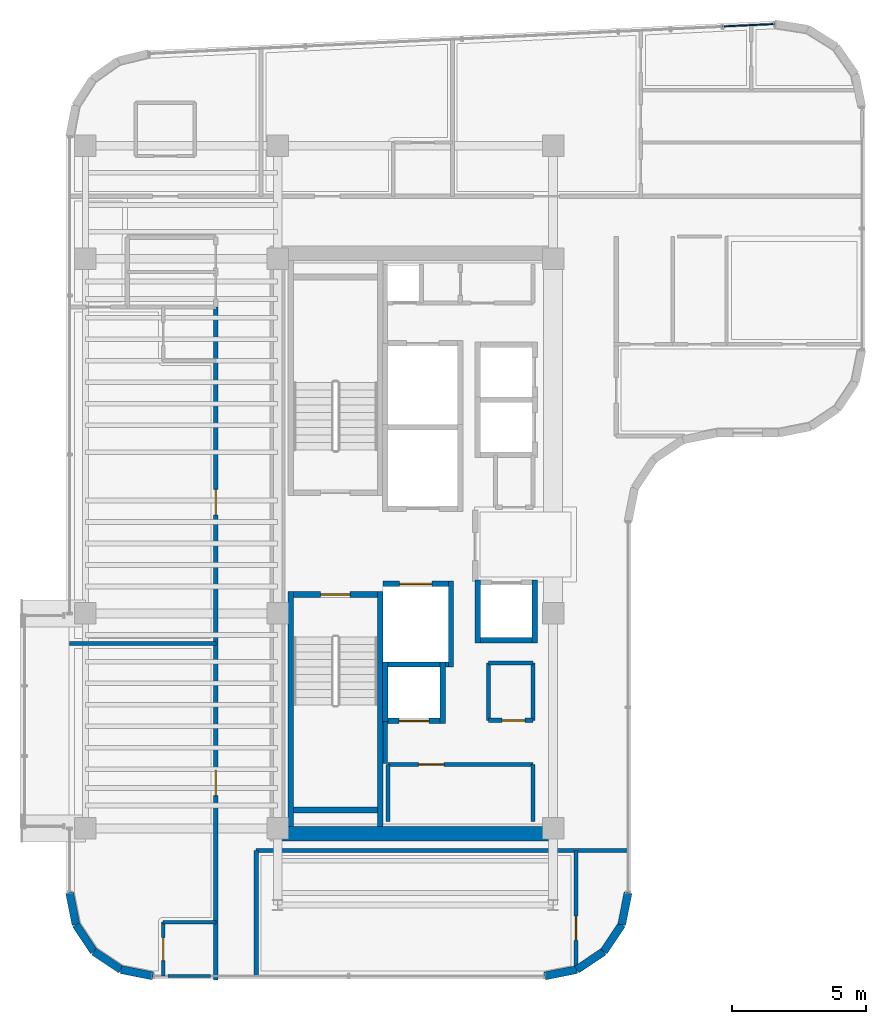
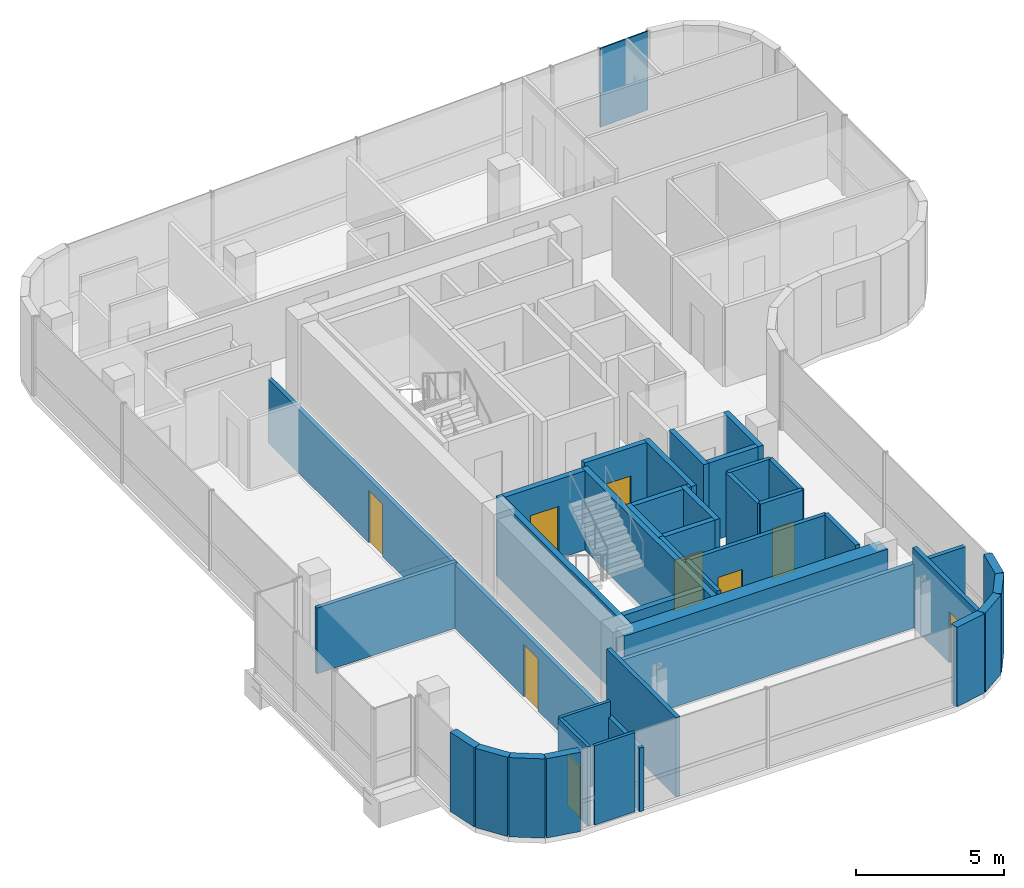
# One storey, part 14 of 19: 38 walls, 9 doors, 1 plate, 9 openings, 1 element without a shape of its own.
"""IFC4 building model written with IfcOpenShell, lengths in metres."""

from ifc_helpers import new_model, si_unit, direction, frame, frame_2d, origin, origin_2d, place, context, subcontext, project, spatial, rectangle, extrude, source, transform, mapped, material, layer, layer_set, type_object, element, fill, aggregate, save


model = new_model("IFC4")

# Units and contexts
model_context = context("Model", 3, precision=1e-05, world=origin(), true_north=direction((0.0, 1.0)))
body_context = subcontext(model_context, "Body", "Model", "MODEL_VIEW")
ifc_project = project(units=[si_unit("LENGTHUNIT", "METRE"), si_unit("AREAUNIT", "SQUARE_METRE"), si_unit("VOLUMEUNIT", "CUBIC_METRE"), si_unit("PLANEANGLEUNIT", "RADIAN"), si_unit("MASSUNIT", "GRAM", prefix="KILO")], contexts=[model_context])

# Site, building, storey
site_placement = place(None, origin())
site = spatial("IfcSite", under=ifc_project, at=site_placement, CompositionType="ELEMENT")
building_placement = place(site_placement, origin())
building = spatial("IfcBuilding", under=site, at=building_placement, Name="Valdorenza Pilgrim Sanctuary Tower", CompositionType="ELEMENT")
storey_placement = place(building_placement, frame((0.0, 0.0, 269.5)))
storey = spatial("IfcBuildingStorey", under=building, at=storey_placement, Name="L70", CompositionType="ELEMENT", Elevation=269.5)

# Curtain wall, plate
ifc_material_1 = material(Name="Curtain-wall IGU glazing", Category="glass")
curtain_wall_type = type_object("IfcCurtainWallType", Name="CW-SYS-02", PredefinedType="NOTDEFINED", material=ifc_material_1)
curtain_wall_placement = place(storey_placement, origin())
curtain_wall = element("IfcCurtainWall", 1, at=curtain_wall_placement, inside=storey, type_object=curtain_wall_type, Name="L70 Curtain Wall CW-L70-1-6", PredefinedType="NOTDEFINED")
ifc_material_2 = material(Name="Ceramic-fritted low-E IGU glazing", Category="glass")
ifc_layer_1 = layer(ifc_material_2, 0.035888671875, Name="Ceramic-fritted low-E IGU glazing")
ifc_layer_set_1 = layer_set([ifc_layer_1], Name="Ceramic-fritted low-E IGU glazing")
plate_type = type_object("IfcPlateType", Name="CW-GLZ-IGU", PredefinedType="USERDEFINED", material=ifc_layer_set_1)
shared_shape = source(origin(), body_context, "Body", "SweptSolid", [
    extrude(rectangle(XDim=1.915283203125, YDim=0.050048828125, at=origin_2d()), origin(), (0.0, 0.0, 1.0), 3.239990234375),
])
plate_placement = place(storey_placement, frame((-5.13330078125, 19.28564453125, 0.009765625), z_axis=(0.0, 0.0, 1.0), x_axis=(0.998890696972, 0.047089016785, 0.0)))
plate = element("IfcPlate", 2, at=plate_placement, type_object=plate_type, Name="CW-L70-1-6 Full-Height Facade Panel 4 Sub 3", ObjectType="GLAZING", PredefinedType="USERDEFINED", context=body_context, shape_type="MappedRepresentation", body=[
    mapped(shared_shape, transform((0.0, 0.0, 0.0), x_axis=(1.0, 0.0, 0.0), y_axis=(0.0, 1.0, 0.0), z_axis=(0.0, 0.0, 1.0), scale=1.0)),
])
aggregate(curtain_wall, [plate])

# Wall
ifc_material_3 = material(Name="Acoustic twin-stud gypsum partition", Category="gypsum")
ifc_layer_2 = layer(ifc_material_3, 0.159912109375, Name="Acoustic twin-stud gypsum partition")
ifc_layer_set_2 = layer_set([ifc_layer_2], Name="Acoustic twin-stud gypsum partition")
wall_type_1 = type_object("IfcWallType", Name="WAL-COR-160", PredefinedType="PARTITIONING", material=ifc_layer_set_2)
wall_1_placement = place(storey_placement, frame((-18.64990234375, -8.179931640625, 0.0), z_axis=(0.0, 0.0, 1.0), x_axis=(0.0, 1.0, 0.0)))
element("IfcWall", 3, at=wall_1_placement, inside=storey, type_object=wall_type_1, Name="L70 Core A South Lift Hall West Wall", PredefinedType="PARTITIONING", context=body_context, shape_type="SweptSolid", body=[
    extrude(rectangle(XDim=1.559814453125, YDim=0.159912109375, at=frame_2d((0.77978515625, 0.0))), origin(), (0.0, 0.0, 1.0), 3.260009765625),
])

# Wall, opening, door
wall_2_placement = place(storey_placement, frame((-18.550048828125, -8.219970703125, 0.0), z_axis=(0.0, 0.0, 1.0), x_axis=(1.0, 0.0, 0.0)))
wall_2 = element("IfcWall", 4, at=wall_2_placement, inside=storey, type_object=wall_type_1, Name="L70 Freed Shaft 1 North Wall", PredefinedType="PARTITIONING", context=body_context, shape_type="SweptSolid", body=[
    extrude(rectangle(XDim=5.400146484375, YDim=0.159912109375, at=frame_2d((2.7001953125, 0.0))), origin(), (0.0, 0.0, 1.0), 3.260009765625),
])
opening_1_placement = place(wall_2_placement, frame((1.14990234375, 0.0, 0.0)))
opening_1 = element("IfcOpeningElement", 5, at=opening_1_placement, cuts=wall_2, Name="Opening DR-UN1", PredefinedType="OPENING", context=body_context, shape_type="SweptSolid", body=[
    extrude(rectangle(XDim=0.949951171875, YDim=2.14990234375, at=frame_2d((0.47509765625, 1.074951171875))), frame((0.0, 0.0947265625, 0.0), z_axis=(0.0, -1.0, 0.0), x_axis=(1.0, 0.0, 0.0)), (0.0, 0.0, 1.0), 0.189697265625),
])
ifc_material_4 = material(Name="Solid-core European oak timber", Category="wood")
door_type_1 = type_object("IfcDoorType", Name="DR-UNIT-950", OperationType="NOTDEFINED", PredefinedType="DOOR", material=ifc_material_4)
door_1_placement = place(opening_1_placement, origin())
door_1 = element("IfcDoor", 6, at=door_1_placement, inside=storey, type_object=door_type_1, Name="L70 Back-of-House Linen Store Door", OperationType="SINGLE_SWING_RIGHT", OverallHeight=2.14990234375, OverallWidth=0.949951171875, PredefinedType="DOOR", context=body_context, shape_type="SweptSolid", body=[
    extrude(rectangle(XDim=0.949951171875, YDim=2.14990234375, at=frame_2d((0.47509765625, 1.074951171875))), frame((0.0, 0.02490234375, 0.0), z_axis=(0.0, -1.0, 0.0), x_axis=(1.0, 0.0, 0.0)), (0.0, 0.0, 1.0), 0.050048828125),
])
fill(opening_1, door_1)

# Wall
wall_3_placement = place(storey_placement, frame((-13.14990234375, -10.35009765625, 0.0), z_axis=(0.0, 0.0, 1.0), x_axis=(0.0, 1.0, 0.0)))
element("IfcWall", 7, at=wall_3_placement, inside=storey, type_object=wall_type_1, Name="L70 Freed Shaft 1 East Wall", PredefinedType="PARTITIONING", context=body_context, shape_type="SweptSolid", body=[
    extrude(rectangle(XDim=2.130126953125, YDim=0.159912109375, at=frame_2d((1.06494140625, 0.0))), origin(), (0.0, 0.0, 1.0), 3.260009765625),
])

# Wall, opening, door
wall_4_placement = place(storey_placement, frame((-14.800048828125, -6.580078125, 0.0), z_axis=(0.0, 0.0, 1.0), x_axis=(1.0, 0.0, 0.0)))
wall_4 = element("IfcWall", 8, at=wall_4_placement, inside=storey, type_object=wall_type_1, Name="L70 Freed Shaft 2 South Wall", PredefinedType="PARTITIONING", context=body_context, shape_type="SweptSolid", body=[
    extrude(rectangle(XDim=1.650146484375, YDim=0.159912109375, at=frame_2d((0.8251953125, 0.0))), origin(), (0.0, 0.0, 1.0), 3.260009765625),
])
opening_2_placement = place(wall_4_placement, frame((0.5, 0.0, 0.0)))
opening_2 = element("IfcOpeningElement", 9, at=opening_2_placement, cuts=wall_4, Name="Opening DR-RS1", PredefinedType="OPENING", context=body_context, shape_type="SweptSolid", body=[
    extrude(rectangle(XDim=0.85009765625, YDim=2.050048828125, at=frame_2d((0.425048828125, 1.02490234375))), frame((0.0, 0.0947265625, 0.0), z_axis=(0.0, -1.0, 0.0), x_axis=(1.0, 0.0, 0.0)), (0.0, 0.0, 1.0), 0.189697265625),
])
ifc_material_5 = material(Name="Painted galvanized steel", Category="steel")
door_type_2 = type_object("IfcDoorType", Name="DR-RSR-850", OperationType="NOTDEFINED", PredefinedType="DOOR", material=ifc_material_5)
door_2_placement = place(opening_2_placement, origin())
door_2 = element("IfcDoor", 10, at=door_2_placement, inside=storey, type_object=door_type_2, Name="L70 Guest Tea Pantry Door", OperationType="SINGLE_SWING_LEFT", OverallHeight=2.050048828125, OverallWidth=0.85009765625, PredefinedType="DOOR", context=body_context, shape_type="SweptSolid", body=[
    extrude(rectangle(XDim=0.85009765625, YDim=2.050048828125, at=frame_2d((0.425048828125, 1.02490234375))), frame((0.0, 0.02490234375, 0.0), z_axis=(0.0, -1.0, 0.0), x_axis=(1.0, 0.0, 0.0)), (0.0, 0.0, 1.0), 0.050048828125),
])
fill(opening_2, door_2)

# Walls
wall_5_placement = place(storey_placement, frame((-13.14990234375, -6.580078125, 0.0), z_axis=(0.0, 0.0, 1.0), x_axis=(0.0, 1.0, 0.0)))
element("IfcWall", 11, at=wall_5_placement, inside=storey, type_object=wall_type_1, Name="L70 Freed Shaft 2 East Wall", PredefinedType="PARTITIONING", context=body_context, shape_type="SweptSolid", body=[
    extrude(rectangle(XDim=2.130126953125, YDim=0.159912109375, at=frame_2d((1.06494140625, 0.0))), origin(), (0.0, 0.0, 1.0), 3.260009765625),
])
wall_6_placement = place(storey_placement, frame((-23.449951171875, -11.419921875, 0.0), z_axis=(0.0, 0.0, 1.0), x_axis=(1.0, 0.0, 0.0)))
element("IfcWall", 12, at=wall_6_placement, inside=storey, type_object=wall_type_1, Name="L70 South-East Pocket North Wall", PredefinedType="PARTITIONING", context=body_context, shape_type="SweptSolid", body=[
    extrude(rectangle(XDim=13.83984375, YDim=0.159912109375, at=frame_2d((6.919921875, 0.0))), origin(), (0.0, 0.0, 1.0), 2.634033203125),
])
wall_7_placement = place(storey_placement, frame((-23.449951171875, -16.090087890625, 0.0), z_axis=(0.0, 0.0, 1.0), x_axis=(0.0, 1.0, 0.0)))
element("IfcWall", 13, at=wall_7_placement, inside=storey, type_object=wall_type_1, Name="L70 South-East Pocket West Wall", PredefinedType="PARTITIONING", context=body_context, shape_type="SweptSolid", body=[
    extrude(rectangle(XDim=4.670166015625, YDim=0.159912109375, at=frame_2d((2.3349609375, 0.0))), origin(), (0.0, 0.0, 1.0), 3.260009765625),
])

# Wall, openings, doors
wall_8_placement = place(storey_placement, frame((-24.949951171875, -16.239990234375, 0.0), z_axis=(0.0, 0.0, 1.0), x_axis=(0.0, 1.0, 0.0)))
wall_8 = element("IfcWall", 14, at=wall_8_placement, inside=storey, type_object=wall_type_1, Name="L70 West Wing Corridor Wall", PredefinedType="PARTITIONING", context=body_context, shape_type="SweptSolid", body=[
    extrude(rectangle(XDim=25.0400390625, YDim=0.159912109375, at=frame_2d((12.52001953125, 0.0))), origin(), (0.0, 0.0, 1.0), 2.623046875),
])
opening_3_placement = place(wall_8_placement, frame((6.860107421875, 0.0, 0.0)))
opening_3 = element("IfcOpeningElement", 15, at=opening_3_placement, cuts=wall_8, Name="Opening DR-UN1", PredefinedType="OPENING", context=body_context, shape_type="SweptSolid", body=[
    extrude(rectangle(XDim=0.949951171875, YDim=2.14990234375, at=frame_2d((0.47509765625, 1.074951171875))), frame((0.0, 0.0947265625, 0.0), z_axis=(0.0, -1.0, 0.0), x_axis=(1.0, 0.0, 0.0)), (0.0, 0.0, 1.0), 0.189697265625),
])
opening_4_placement = place(wall_8_placement, frame((17.304931640625, 0.0, 0.0)))
opening_4 = element("IfcOpeningElement", 16, at=opening_4_placement, cuts=wall_8, Name="Opening DR-UN1", PredefinedType="OPENING", context=body_context, shape_type="SweptSolid", body=[
    extrude(rectangle(XDim=0.949951171875, YDim=2.14990234375, at=frame_2d((0.47509765625, 1.074951171875))), frame((0.0, 0.0947265625, 0.0), z_axis=(0.0, -1.0, 0.0), x_axis=(1.0, 0.0, 0.0)), (0.0, 0.0, 1.0), 0.189697265625),
])
door_3_placement = place(opening_3_placement, origin())
door_3 = element("IfcDoor", 17, at=door_3_placement, inside=storey, type_object=door_type_1, Name="L70 Pilgrim Family Guest Room L70-W1 Entrance Door", OperationType="SINGLE_SWING_RIGHT", OverallHeight=2.14990234375, OverallWidth=0.949951171875, PredefinedType="DOOR", context=body_context, shape_type="SweptSolid", body=[
    extrude(rectangle(XDim=0.949951171875, YDim=2.14990234375, at=frame_2d((0.47509765625, 1.074951171875))), frame((0.0, 0.02490234375, 0.0), z_axis=(0.0, -1.0, 0.0), x_axis=(1.0, 0.0, 0.0)), (0.0, 0.0, 1.0), 0.050048828125),
])
fill(opening_3, door_3)
door_4_placement = place(opening_4_placement, origin())
door_4 = element("IfcDoor", 18, at=door_4_placement, inside=storey, type_object=door_type_1, Name="L70 Pilgrim Family Guest Room L70-W2 Entrance Door", OperationType="SINGLE_SWING_RIGHT", OverallHeight=2.14990234375, OverallWidth=0.949951171875, PredefinedType="DOOR", context=body_context, shape_type="SweptSolid", body=[
    extrude(rectangle(XDim=0.949951171875, YDim=2.14990234375, at=frame_2d((0.47509765625, 1.074951171875))), frame((0.0, 0.02490234375, 0.0), z_axis=(0.0, -1.0, 0.0), x_axis=(1.0, 0.0, 0.0)), (0.0, 0.0, 1.0), 0.050048828125),
])
fill(opening_4, door_4)

# Wall, opening, door
wall_9_placement = place(storey_placement, frame((-11.550048828125, -15.7236328125, 0.0), z_axis=(0.0, 0.0, 1.0), x_axis=(0.0, 1.0, 0.0)))
wall_9 = element("IfcWall", 19, at=wall_9_placement, inside=storey, type_object=wall_type_1, Name="L70 South-East Concourse Wall", PredefinedType="PARTITIONING", context=body_context, shape_type="SweptSolid", body=[
    extrude(rectangle(XDim=4.3037109375, YDim=0.159912109375, at=frame_2d((2.15185546875, 0.0))), origin(), (0.0, 0.0, 1.0), 3.260009765625),
])
opening_5_placement = place(wall_9_placement, frame((0.9599609375, 0.0, 0.0)))
opening_5 = element("IfcOpeningElement", 20, at=opening_5_placement, cuts=wall_9, Name="Opening DR-RM1", PredefinedType="OPENING", context=body_context, shape_type="SweptSolid", body=[
    extrude(rectangle(XDim=0.89990234375, YDim=2.10009765625, at=frame_2d((0.449951171875, 1.050048828125))), frame((0.0, 0.0947265625, 0.0), z_axis=(0.0, -1.0, 0.0), x_axis=(1.0, 0.0, 0.0)), (0.0, 0.0, 1.0), 0.189697265625),
])
door_type_3 = type_object("IfcDoorType", Name="DR-ROOM-900", OperationType="NOTDEFINED", PredefinedType="DOOR", material=ifc_material_4)
door_5_placement = place(opening_5_placement, origin())
door_5 = element("IfcDoor", 21, at=door_5_placement, inside=storey, type_object=door_type_3, Name="L70 South Contemplation Lounge L70 Door", OperationType="SINGLE_SWING_RIGHT", OverallHeight=2.10009765625, OverallWidth=0.89990234375, PredefinedType="DOOR", context=body_context, shape_type="SweptSolid", body=[
    extrude(rectangle(XDim=0.89990234375, YDim=2.10009765625, at=frame_2d((0.449951171875, 1.050048828125))), frame((0.0, 0.02490234375, 0.0), z_axis=(0.0, -1.0, 0.0), x_axis=(1.0, 0.0, 0.0)), (0.0, 0.0, 1.0), 0.050048828125),
])
fill(opening_5, door_5)

# Walls
ifc_material_6 = material(Name="Concrete C50/60", Category="concrete")
ifc_layer_3 = layer(ifc_material_6, 0.550048828125, Name="Concrete C50/60")
ifc_layer_set_3 = layer_set([ifc_layer_3], Name="Concrete C50/60")
wall_type_2 = type_object("IfcWallType", Name="WAL-COR-550", PredefinedType="SHEAR", material=ifc_layer_set_3)
wall_10_placement = place(storey_placement, frame((-22.64990234375, -10.800048828125, 0.0), z_axis=(0.0, 0.0, 1.0), x_axis=(1.0, 0.0, 0.0)))
element("IfcWall", 22, at=wall_10_placement, inside=storey, type_object=wall_type_2, Name="L70 Split Core A Shear Wall S", PredefinedType="SHEAR", context=body_context, shape_type="SweptSolid", body=[
    extrude(rectangle(XDim=10.25, YDim=0.550048828125, at=frame_2d((5.125, 0.0))), origin(), (0.0, 0.0, 1.0), 3.260009765625),
])
ifc_material_7 = material(Name="Honed travertine limestone", Category="masonry")
ifc_layer_4 = layer(ifc_material_7, 0.300048828125, Name="Honed travertine limestone")
ifc_layer_set_4 = layer_set([ifc_layer_4], Name="Honed travertine limestone")
wall_type_3 = type_object("IfcWallType", Name="WAL-EXT-300", PredefinedType="SOLIDWALL", material=ifc_layer_set_4)
wall_11_placement = place(storey_placement, frame((-9.610107421875, -12.9892578125, 0.0), z_axis=(0.0, 0.0, 1.0), x_axis=(-0.194996050505, -0.980804027463, 0.0)))
element("IfcWall", 23, at=wall_11_placement, inside=storey, type_object=wall_type_3, Name="L70 Rounded Wind-Corner Stone Pier 22", PredefinedType="SOLIDWALL", context=body_context, shape_type="SweptSolid", body=[
    extrude(rectangle(XDim=1.2158203125, YDim=0.300048828125, at=frame_2d((0.60791015625, 0.0))), origin(), (0.0, 0.0, 1.0), 3.260009765625),
])
for number, where, z_axis, x_axis, name in (
    (24, (-9.84716796875, -14.181640625, 0.0), (0.0, 0.0, 1.0), (-0.555635100982, -0.831426265255, 0.0), "L70 Rounded Wind-Corner Stone Pier 23"),
    (25, (-10.5166015625, -15.183349609375, 0.0), (0.0, 0.0, 1.0), (-0.831426265255, -0.555635100982, 0.0), "L70 Rounded Wind-Corner Stone Pier 24"),
):
    element("IfcWall", number, at=place(storey_placement, frame(where, z_axis=z_axis, x_axis=x_axis)), inside=storey, type_object=wall_type_3, Name=name, PredefinedType="SOLIDWALL", context=body_context, shape_type="SweptSolid", body=[
        extrude(rectangle(XDim=1.204833984375, YDim=0.300048828125, at=frame_2d((0.6025390625, 0.0))), origin(), (0.0, 0.0, 1.0), 3.260009765625),
    ])
for number, where, z_axis, x_axis, name in (
    (26, (-11.518310546875, -15.852783203125, 0.0), (0.0, 0.0, 1.0), (-0.980765602568, -0.195189223115, 0.0), "L70 Rounded Wind-Corner Stone Pier 25"),
    (27, (-27.289306640625, -16.090087890625, 0.0), (0.0, 0.0, 1.0), (-0.980765602568, 0.195189223115, 0.0), "L70 Rounded Wind-Corner Stone Pier 27"),
):
    element("IfcWall", number, at=place(storey_placement, frame(where, z_axis=z_axis, x_axis=x_axis)), inside=storey, type_object=wall_type_3, Name=name, PredefinedType="SOLIDWALL", context=body_context, shape_type="SweptSolid", body=[
        extrude(rectangle(XDim=1.2158203125, YDim=0.300048828125, at=frame_2d((0.60791015625, 0.0))), origin(), (0.0, 0.0, 1.0), 3.260009765625),
    ])
for number, where, z_axis, x_axis, name in (
    (28, (-28.481689453125, -15.852783203125, 0.0), (0.0, 0.0, 1.0), (-0.831426265255, 0.555635100982, 0.0), "L70 Rounded Wind-Corner Stone Pier 28"),
    (29, (-29.4833984375, -15.183349609375, 0.0), (0.0, 0.0, 1.0), (-0.555635100982, 0.831426265255, 0.0), "L70 Rounded Wind-Corner Stone Pier 29"),
):
    element("IfcWall", number, at=place(storey_placement, frame(where, z_axis=z_axis, x_axis=x_axis)), inside=storey, type_object=wall_type_3, Name=name, PredefinedType="SOLIDWALL", context=body_context, shape_type="SweptSolid", body=[
        extrude(rectangle(XDim=1.204833984375, YDim=0.300048828125, at=frame_2d((0.6025390625, 0.0))), origin(), (0.0, 0.0, 1.0), 3.260009765625),
    ])
wall_12_placement = place(storey_placement, frame((-30.15283203125, -14.181640625, 0.0), z_axis=(0.0, 0.0, 1.0), x_axis=(-0.194996050505, 0.980804027463, 0.0)))
element("IfcWall", 30, at=wall_12_placement, inside=storey, type_object=wall_type_3, Name="L70 Rounded Wind-Corner Stone Pier 30", PredefinedType="SOLIDWALL", context=body_context, shape_type="SweptSolid", body=[
    extrude(rectangle(XDim=1.2158203125, YDim=0.300048828125, at=frame_2d((0.60791015625, 0.0))), origin(), (0.0, 0.0, 1.0), 3.260009765625),
])
ifc_material_8 = material(Name="Moisture-resistant gypsum partition", Category="gypsum")
ifc_layer_5 = layer(ifc_material_8, 0.1201171875, Name="Moisture-resistant gypsum partition")
ifc_layer_set_5 = layer_set([ifc_layer_5], Name="Moisture-resistant gypsum partition")
wall_type_4 = type_object("IfcWallType", Name="WAL-INT-120", PredefinedType="PARTITIONING", material=ifc_layer_set_5)
wall_13_placement = place(storey_placement, frame((-26.907958984375, -14.090087890625, 0.0), z_axis=(0.0, 0.0, 1.0), x_axis=(1.0, 0.0, 0.0)))
element("IfcWall", 31, at=wall_13_placement, inside=storey, type_object=wall_type_4, Name="L70 Pilgrim Family Guest Room L70-W1 En-suite North Wall", PredefinedType="PARTITIONING", context=body_context, shape_type="SweptSolid", body=[
    extrude(rectangle(XDim=1.9580078125, YDim=0.1201171875, at=frame_2d((0.97900390625, 0.0))), origin(), (0.0, 0.0, 1.0), 3.260009765625),
])

# Wall, opening, door
wall_14_placement = place(storey_placement, frame((-26.907958984375, -16.090087890625, 0.0), z_axis=(0.0, 0.0, 1.0), x_axis=(0.0, 1.0, 0.0)))
wall_14 = element("IfcWall", 32, at=wall_14_placement, inside=storey, type_object=wall_type_4, Name="L70 Pilgrim Family Guest Room L70-W1 En-suite Door Wall", PredefinedType="PARTITIONING", context=body_context, shape_type="SweptSolid", body=[
    extrude(rectangle(XDim=2.0, YDim=0.1201171875, at=frame_2d((1.0, 0.0))), origin(), (0.0, 0.0, 1.0), 3.260009765625),
])
opening_6_placement = place(wall_14_placement, frame((0.574951171875, 0.0, 0.0)))
opening_6 = element("IfcOpeningElement", 33, at=opening_6_placement, cuts=wall_14, Name="Opening DR-WC1", PredefinedType="OPENING", context=body_context, shape_type="SweptSolid", body=[
    extrude(rectangle(XDim=0.85009765625, YDim=2.10009765625, at=frame_2d((0.425048828125, 1.050048828125))), frame((0.0, 0.074951171875, 0.0), z_axis=(0.0, -1.0, 0.0), x_axis=(1.0, 0.0, 0.0)), (0.0, 0.0, 1.0), 0.14990234375),
])
ifc_material_9 = material(Name="Moisture-resistant lacquered timber", Category="wood")
door_type_4 = type_object("IfcDoorType", Name="DR-BATH-850", OperationType="NOTDEFINED", PredefinedType="DOOR", material=ifc_material_9)
door_6_placement = place(opening_6_placement, origin())
door_6 = element("IfcDoor", 34, at=door_6_placement, inside=storey, type_object=door_type_4, Name="L70 Pilgrim Family Guest Room L70-W1 En-suite Bathroom Door", OperationType="SINGLE_SWING_LEFT", OverallHeight=2.10009765625, OverallWidth=0.85009765625, PredefinedType="DOOR", context=body_context, shape_type="SweptSolid", body=[
    extrude(rectangle(XDim=0.85009765625, YDim=2.10009765625, at=frame_2d((0.425048828125, 1.050048828125))), frame((0.0, 0.02490234375, 0.0), z_axis=(0.0, -1.0, 0.0), x_axis=(1.0, 0.0, 0.0)), (0.0, 0.0, 1.0), 0.050048828125),
])
fill(opening_6, door_6)

# Walls
wall_15_placement = place(storey_placement, frame((-26.72802734375, -16.090087890625, 0.0), z_axis=(0.0, 0.0, 1.0), x_axis=(1.0, 0.0, 0.0)))
element("IfcWall", 35, at=wall_15_placement, inside=storey, type_object=wall_type_4, Name="L70 WW-FL1-ENS Enclosure Wall S", PredefinedType="PARTITIONING", context=body_context, shape_type="SweptSolid", body=[
    extrude(rectangle(XDim=1.578125, YDim=0.1201171875, at=frame_2d((0.7890625, 0.0))), origin(), (0.0, 0.0, 1.0), 3.260009765625),
])
ifc_material_10 = material(Name="Autoclaved aerated concrete blockwork", Category="masonry")
ifc_layer_6 = layer(ifc_material_10, 0.199951171875, Name="Autoclaved aerated concrete blockwork")
ifc_layer_set_6 = layer_set([ifc_layer_6], Name="Autoclaved aerated concrete blockwork")
wall_type_5 = type_object("IfcWallType", Name="WAL-SHF-200", PredefinedType="MOVABLE", material=ifc_layer_set_6)
wall_16_placement = place(storey_placement, frame((-16.199951171875, -4.60009765625, 0.0), z_axis=(0.0, 0.0, 1.0), x_axis=(0.0, 1.0, 0.0)))
element("IfcWall", 36, at=wall_16_placement, inside=storey, type_object=wall_type_5, Name="L70 Lift FFL-02 Hoistway Wall East", PredefinedType="MOVABLE", context=body_context, shape_type="SweptSolid", body=[
    extrude(rectangle(XDim=3.2001953125, YDim=0.199951171875, at=frame_2d((1.60009765625, 0.0))), origin(), (0.0, 0.0, 1.0), 3.260009765625),
])
wall_17_placement = place(storey_placement, frame((-18.719970703125, -4.5, 0.0), z_axis=(0.0, 0.0, 1.0), x_axis=(1.0, 0.0, 0.0)))
element("IfcWall", 37, at=wall_17_placement, inside=storey, type_object=wall_type_5, Name="L70 Lift FFL-02 Hoistway Wall South", PredefinedType="MOVABLE", context=body_context, shape_type="SweptSolid", body=[
    extrude(rectangle(XDim=2.419921875, YDim=0.199951171875, at=frame_2d((1.2099609375, 0.0))), origin(), (0.0, 0.0, 1.0), 3.260009765625),
])

# Wall, opening, door
wall_18_placement = place(storey_placement, frame((-18.719970703125, -1.5, 0.0), z_axis=(0.0, 0.0, 1.0), x_axis=(1.0, 0.0, 0.0)))
wall_18 = element("IfcWall", 38, at=wall_18_placement, inside=storey, type_object=wall_type_5, Name="L70 Lift FFL-02 Hoistway Wall North", PredefinedType="MOVABLE", context=body_context, shape_type="SweptSolid", body=[
    extrude(rectangle(XDim=2.419921875, YDim=0.199951171875, at=frame_2d((1.2099609375, 0.0))), origin(), (0.0, 0.0, 1.0), 3.260009765625),
])
opening_7_placement = place(wall_18_placement, frame((0.610107421875, 0.0, 0.0)))
opening_7 = element("IfcOpeningElement", 39, at=opening_7_placement, cuts=wall_18, Name="Opening LD-02", PredefinedType="OPENING", context=body_context, shape_type="SweptSolid", body=[
    extrude(rectangle(XDim=1.199951171875, YDim=2.10009765625, at=frame_2d((0.60009765625, 1.050048828125))), frame((0.0, 0.11474609375, 0.0), z_axis=(0.0, -1.0, 0.0), x_axis=(1.0, 0.0, 0.0)), (0.0, 0.0, 1.0), 0.229736328125),
])
ifc_material_11 = material(Name="Brushed stainless steel Grade 316", Category="steel")
door_type_5 = type_object("IfcDoorType", Name="DR-LFT-1200", OperationType="DOUBLE_DOOR_SLIDING", PredefinedType="DOOR", material=ifc_material_11)
door_7_placement = place(opening_7_placement, origin())
door_7 = element("IfcDoor", 40, at=door_7_placement, inside=storey, type_object=door_type_5, Name="L70 Lift FFL-02 Sliding Landing Door", OperationType="DOUBLE_DOOR_SLIDING", OverallHeight=2.10009765625, OverallWidth=1.199951171875, PredefinedType="DOOR", context=body_context, shape_type="SweptSolid", body=[
    extrude(rectangle(XDim=1.199951171875, YDim=2.10009765625, at=frame_2d((0.60009765625, 1.050048828125))), frame((0.0, 0.02490234375, 0.0), z_axis=(0.0, -1.0, 0.0), x_axis=(1.0, 0.0, 0.0)), (0.0, 0.0, 1.0), 0.050048828125),
])
fill(opening_7, door_7)

# Walls
for number, where, z_axis, x_axis, name in (
    (41, (-18.64990234375, -6.699951171875, 0.0), (0.0, 0.0, 1.0), (0.0, 1.0, 0.0), "L70 Lift PL-11 Hoistway Wall West"),
    (42, (-16.5, -6.699951171875, 0.0), (0.0, 0.0, 1.0), (0.0, 1.0, 0.0), "L70 Lift PL-11 Hoistway Wall East"),
):
    element("IfcWall", number, at=place(storey_placement, frame(where, z_axis=z_axis, x_axis=x_axis)), inside=storey, type_object=wall_type_5, Name=name, PredefinedType="MOVABLE", context=body_context, shape_type="SweptSolid", body=[
        extrude(rectangle(XDim=2.300048828125, YDim=0.199951171875, at=frame_2d((1.14990234375, 0.0))), origin(), (0.0, 0.0, 1.0), 3.260009765625),
    ])

# Wall, opening, door
wall_19_placement = place(storey_placement, frame((-18.550048828125, -6.60009765625, 0.0), z_axis=(0.0, 0.0, 1.0), x_axis=(1.0, 0.0, 0.0)))
wall_19 = element("IfcWall", 43, at=wall_19_placement, inside=storey, type_object=wall_type_5, Name="L70 Lift PL-11 Hoistway Wall South", PredefinedType="MOVABLE", context=body_context, shape_type="SweptSolid", body=[
    extrude(rectangle(XDim=1.949951171875, YDim=0.199951171875, at=frame_2d((0.97509765625, 0.0))), origin(), (0.0, 0.0, 1.0), 3.260009765625),
])
opening_8_placement = place(wall_19_placement, frame((0.425048828125, 0.0, 0.0)))
opening_8 = element("IfcOpeningElement", 44, at=opening_8_placement, cuts=wall_19, Name="Opening LD-01", PredefinedType="OPENING", context=body_context, shape_type="SweptSolid", body=[
    extrude(rectangle(XDim=1.10009765625, YDim=2.10009765625, at=frame_2d((0.550048828125, 1.050048828125))), frame((0.0, 0.11474609375, 0.0), z_axis=(0.0, -1.0, 0.0), x_axis=(1.0, 0.0, 0.0)), (0.0, 0.0, 1.0), 0.229736328125),
])
door_type_6 = type_object("IfcDoorType", Name="DR-LFT-1100", OperationType="DOUBLE_DOOR_SLIDING", PredefinedType="DOOR", material=ifc_material_11)
door_8_placement = place(opening_8_placement, origin())
door_8 = element("IfcDoor", 45, at=door_8_placement, inside=storey, type_object=door_type_6, Name="L70 Lift PL-11 Sliding Landing Door", OperationType="DOUBLE_DOOR_SLIDING", OverallHeight=2.10009765625, OverallWidth=1.10009765625, PredefinedType="DOOR", context=body_context, shape_type="SweptSolid", body=[
    extrude(rectangle(XDim=1.10009765625, YDim=2.10009765625, at=frame_2d((0.550048828125, 1.050048828125))), frame((0.0, 0.02490234375, 0.0), z_axis=(0.0, -1.0, 0.0), x_axis=(1.0, 0.0, 0.0)), (0.0, 0.0, 1.0), 0.050048828125),
])
fill(opening_8, door_8)

# Walls
for number, where, z_axis, x_axis, name in (
    (46, (-15.199951171875, -3.699951171875, 0.0), (0.0, 0.0, 1.0), (0.0, 1.0, 0.0), "L70 Lift PL-12 Hoistway Wall West"),
    (47, (-13.080078125, -3.699951171875, 0.0), (0.0, 0.0, 1.0), (0.0, 1.0, 0.0), "L70 Lift PL-12 Hoistway Wall East"),
):
    element("IfcWall", number, at=place(storey_placement, frame(where, z_axis=z_axis, x_axis=x_axis)), inside=storey, type_object=wall_type_5, Name=name, PredefinedType="MOVABLE", context=body_context, shape_type="SweptSolid", body=[
        extrude(rectangle(XDim=2.349853515625, YDim=0.199951171875, at=frame_2d((1.1748046875, 0.0))), origin(), (0.0, 0.0, 1.0), 3.260009765625),
    ])
wall_20_placement = place(storey_placement, frame((-15.10009765625, -3.60009765625, 0.0), z_axis=(0.0, 0.0, 1.0), x_axis=(1.0, 0.0, 0.0)))
element("IfcWall", 48, at=wall_20_placement, inside=storey, type_object=wall_type_5, Name="L70 Lift PL-12 Hoistway Wall South", PredefinedType="MOVABLE", context=body_context, shape_type="SweptSolid", body=[
    extrude(rectangle(XDim=1.920166015625, YDim=0.199951171875, at=frame_2d((0.9599609375, 0.0))), origin(), (0.0, 0.0, 1.0), 3.260009765625),
])
ifc_material_12 = material(Name="Concrete C40/50", Category="concrete")
ifc_layer_7 = layer(ifc_material_12, 0.219970703125, Name="Concrete C40/50")
ifc_layer_set_7 = layer_set([ifc_layer_7], Name="Concrete C40/50")
wall_type_6 = type_object("IfcWallType", Name="WAL-STR-SHF-220", PredefinedType="SHEAR", material=ifc_layer_set_7)
for number, where, z_axis, x_axis, name in (
    (49, (-22.159912109375, -10.52490234375, 0.0), (0.0, 0.0, 1.0), (0.0, 1.0, 0.0), "L70 ST-A2 Structural Stairwell Wall W"),
    (50, (-18.830078125, -10.52490234375, 0.0), (0.0, 0.0, 1.0), (0.0, 1.0, 0.0), "L70 ST-A2 Structural Stairwell Wall E"),
):
    element("IfcWall", number, at=place(storey_placement, frame(where, z_axis=z_axis, x_axis=x_axis)), inside=storey, type_object=wall_type_6, Name=name, PredefinedType="SHEAR", context=body_context, shape_type="SweptSolid", body=[
        extrude(rectangle(XDim=8.744873046875, YDim=0.219970703125, at=frame_2d((4.37255859375, 0.0))), origin(), (0.0, 0.0, 1.0), 3.260009765625),
    ])
wall_21_placement = place(storey_placement, frame((-22.050048828125, -9.909912109375, 0.0), z_axis=(0.0, 0.0, 1.0), x_axis=(1.0, 0.0, 0.0)))
element("IfcWall", 51, at=wall_21_placement, inside=storey, type_object=wall_type_6, Name="L70 ST-A2 Structural Stairwell Wall S", PredefinedType="SHEAR", context=body_context, shape_type="SweptSolid", body=[
    extrude(rectangle(XDim=3.110107421875, YDim=0.219970703125, at=frame_2d((1.55517578125, 0.0))), origin(), (0.0, 0.0, 1.0), 3.260009765625),
])

# Wall, opening, door
wall_22_placement = place(storey_placement, frame((-22.050048828125, -1.889892578125, 0.0), z_axis=(0.0, 0.0, 1.0), x_axis=(1.0, 0.0, 0.0)))
wall_22 = element("IfcWall", 52, at=wall_22_placement, inside=storey, type_object=wall_type_6, Name="L70 ST-A2 Structural Stairwell Wall N", PredefinedType="SHEAR", context=body_context, shape_type="SweptSolid", body=[
    extrude(rectangle(XDim=3.110107421875, YDim=0.219970703125, at=frame_2d((1.55517578125, 0.0))), origin(), (0.0, 0.0, 1.0), 3.260009765625),
])
opening_9_placement = place(wall_22_placement, frame((1.0, 0.0, 0.0)))
opening_9 = element("IfcOpeningElement", 53, at=opening_9_placement, cuts=wall_22, Name="Opening DR-ST1", PredefinedType="OPENING", context=body_context, shape_type="SweptSolid", body=[
    extrude(rectangle(XDim=1.10009765625, YDim=2.14990234375, at=frame_2d((0.550048828125, 1.074951171875))), frame((0.0, 0.125, 0.0), z_axis=(0.0, -1.0, 0.0), x_axis=(1.0, 0.0, 0.0)), (0.0, 0.0, 1.0), 0.249755859375),
])
door_type_7 = type_object("IfcDoorType", Name="DR-STAIR-1100", OperationType="NOTDEFINED", PredefinedType="DOOR", material=ifc_material_5)
door_9_placement = place(opening_9_placement, origin())
door_9 = element("IfcDoor", 54, at=door_9_placement, inside=storey, type_object=door_type_7, Name="L70 Exit Stair ST-A2 Door", OperationType="SINGLE_SWING_RIGHT", OverallHeight=2.14990234375, OverallWidth=1.10009765625, PredefinedType="DOOR", context=body_context, shape_type="SweptSolid", body=[
    extrude(rectangle(XDim=1.10009765625, YDim=2.14990234375, at=frame_2d((0.550048828125, 1.074951171875))), frame((0.0, 0.02490234375, 0.0), z_axis=(0.0, -1.0, 0.0), x_axis=(1.0, 0.0, 0.0)), (0.0, 0.0, 1.0), 0.050048828125),
])
fill(opening_9, door_9)

# Walls
ifc_layer_8 = layer(ifc_material_3, 0.14990234375, Name="Acoustic twin-stud gypsum partition")
ifc_layer_set_8 = layer_set([ifc_layer_8], Name="Acoustic twin-stud gypsum partition")
wall_type_7 = type_object("IfcWallType", Name="WAL-UNT-150", PredefinedType="PARTITIONING", material=ifc_layer_set_8)
for number, where, z_axis, x_axis, name in (
    (55, (-18.550048828125, -10.35009765625, 0.0), (0.0, 0.0, 1.0), (0.0, 1.0, 0.0), "L70 Freed Shaft 1 West Wall"),
    (56, (-14.800048828125, -6.580078125, 0.0), (0.0, 0.0, 1.0), (0.0, 1.0, 0.0), "L70 Freed Shaft 2 West Wall"),
):
    element("IfcWall", number, at=place(storey_placement, frame(where, z_axis=z_axis, x_axis=x_axis)), inside=storey, type_object=wall_type_7, Name=name, PredefinedType="PARTITIONING", context=body_context, shape_type="SweptSolid", body=[
        extrude(rectangle(XDim=2.130126953125, YDim=0.14990234375, at=frame_2d((1.06494140625, 0.0))), origin(), (0.0, 0.0, 1.0), 3.260009765625),
    ])
wall_23_placement = place(storey_placement, frame((-14.800048828125, -4.449951171875, 0.0), z_axis=(0.0, 0.0, 1.0), x_axis=(1.0, 0.0, 0.0)))
element("IfcWall", 57, at=wall_23_placement, inside=storey, type_object=wall_type_7, Name="L70 Freed Shaft 2 North Wall", PredefinedType="PARTITIONING", context=body_context, shape_type="SweptSolid", body=[
    extrude(rectangle(XDim=1.650146484375, YDim=0.14990234375, at=frame_2d((0.8251953125, 0.0))), origin(), (0.0, 0.0, 1.0), 3.260009765625),
])
wall_24_placement = place(storey_placement, frame((-30.389892578125, -3.719970703125, 0.0), z_axis=(0.0, 0.0, 1.0), x_axis=(1.0, 0.0, 0.0)))
element("IfcWall", 58, at=wall_24_placement, inside=storey, type_object=wall_type_7, Name="L70 West Flat Demising", PredefinedType="PARTITIONING", context=body_context, shape_type="SweptSolid", body=[
    extrude(rectangle(XDim=5.43994140625, YDim=0.14990234375, at=frame_2d((2.719970703125, 0.0))), origin(), (0.0, 0.0, 1.0), 2.7060546875),
])

save(model, "model.ifc")
